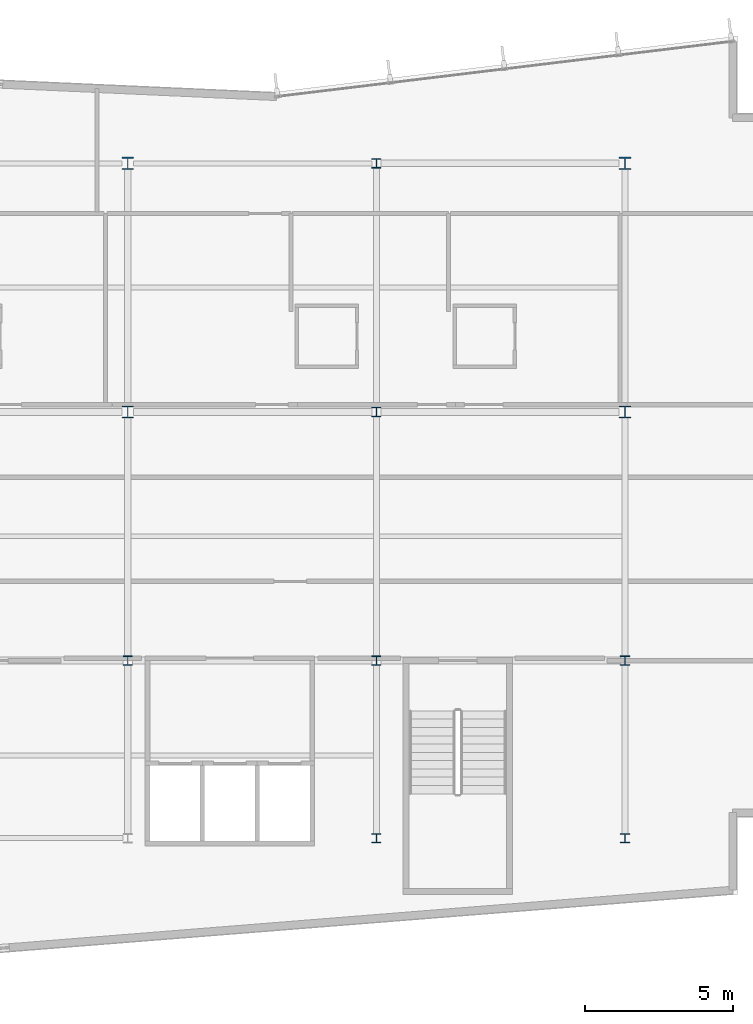
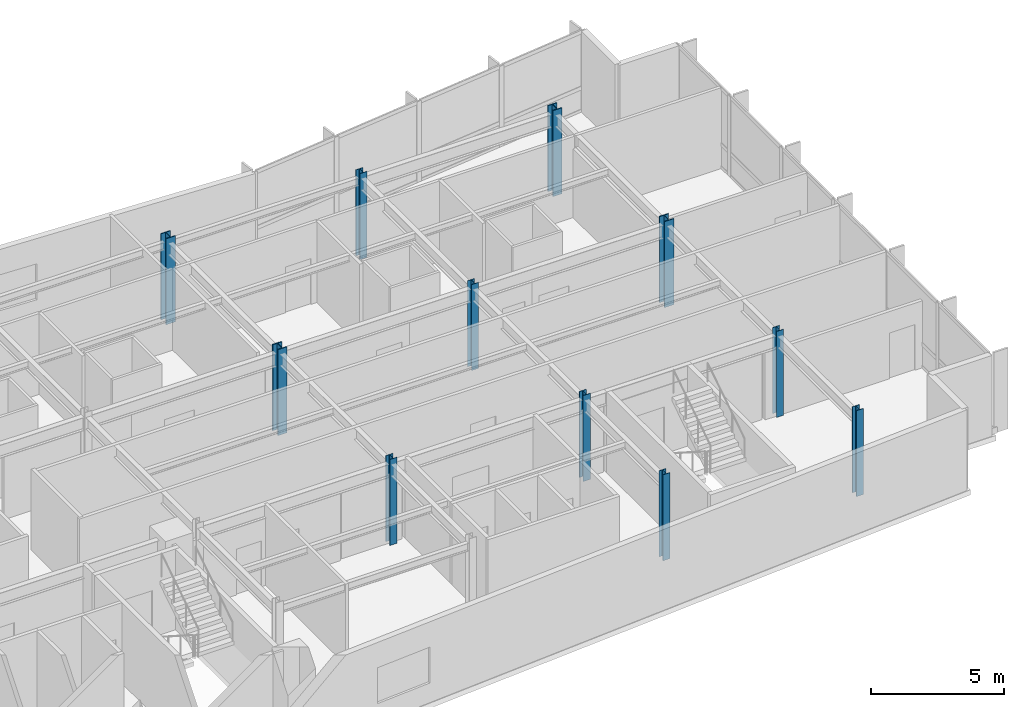
# One storey, part 2 of 18: 11 columns.
"""IFC4 building model written with IfcOpenShell, lengths in metres."""

from ifc_helpers import new_model, si_unit, direction, frame, origin, origin_2d, place, context, subcontext, project, spatial, i_section, extrude, material, material_profile, profile_set, type_object, element, save


model = new_model("IFC4")

# Units and contexts
model_context = context("Model", 3, precision=1e-05, world=origin(), true_north=direction((0.0, 1.0)))
body_context = subcontext(model_context, "Body", "Model", "MODEL_VIEW")
ifc_project = project(units=[si_unit("LENGTHUNIT", "METRE"), si_unit("AREAUNIT", "SQUARE_METRE"), si_unit("VOLUMEUNIT", "CUBIC_METRE"), si_unit("PLANEANGLEUNIT", "RADIAN"), si_unit("MASSUNIT", "GRAM", prefix="KILO")], contexts=[model_context])

# Site, building, storey
site_placement = place(None, origin())
site = spatial("IfcSite", under=ifc_project, at=site_placement, CompositionType="ELEMENT")
building_placement = place(site_placement, origin())
building = spatial("IfcBuilding", under=site, at=building_placement, Name="Varnakote Quay Hospital", CompositionType="ELEMENT")
storey_placement = place(building_placement, frame((0.0, 0.0, 142.85009765625)))
storey = spatial("IfcBuildingStorey", under=building, at=storey_placement, Name="L35", CompositionType="ELEMENT", Elevation=142.85009765625)

# Columns
ifc_material_1 = material(Name="Structural steel AS/NZS 3679.1 Grade 350 L0 (fy 340 MPa)", Category="steel")
ifc_material_profile_1 = material_profile(ifc_material_1, i_section(OverallWidth=0.306884765625, OverallDepth=0.31494140625, WebThickness=0.011962890625, FlangeThickness=0.018798828125, FilletRadius=0.0166015625, at=origin_2d()), Name="310UC118")
ifc_profile_set_1 = profile_set([ifc_material_profile_1], Name="Structural steel AS/NZS 3679.1 Grade 350 L0 (fy 340 MPa)")
column_type_1 = type_object("IfcColumnType", Name="COL-STL-310UC118", PredefinedType="COLUMN", material=ifc_profile_set_1)
for number, where, z_axis, x_axis, name in (
    (1, (42.0, 6.0, 0.0), (0.0, 0.0, 1.0), (1.0, 0.0, 0.0), "L35 Structural Column C-42-6"),
    (2, (50.39990234375, 6.0, 0.0), (0.0, 0.0, 1.0), (1.0, 0.0, 0.0), "L35 Structural Column C-50-6"),
    (3, (33.60009765625, 12.0, 0.0), (0.0, 0.0, 1.0), (1.0, 0.0, 0.0), "L35 Structural Column C-34-12"),
    (4, (42.0, 12.0, 0.0), (0.0, 0.0, 1.0), (1.0, 0.0, 0.0), "L35 Structural Column C-42-12"),
    (5, (50.39990234375, 12.0, 0.0), (0.0, 0.0, 1.0), (1.0, 0.0, 0.0), "L35 Structural Column C-50-12"),
    (6, (42.0, 20.39990234375, 0.0), (0.0, 0.0, 1.0), (1.0, 0.0, 0.0), "L35 Structural Column C-42-20"),
    (7, (42.0, 28.800048828125, 0.0), (0.0, 0.0, 1.0), (1.0, 0.0, 0.0), "L35 Structural Column C-42-29"),
):
    element("IfcColumn", number, at=place(storey_placement, frame(where, z_axis=z_axis, x_axis=x_axis)), inside=storey, type_object=column_type_1, Name=name, PredefinedType="COLUMN", context=body_context, shape_type="SweptSolid", body=[
        extrude(i_section(OverallWidth=0.306884765625, OverallDepth=0.31494140625, WebThickness=0.011962890625, FlangeThickness=0.018798828125, FilletRadius=0.0166015625, at=origin_2d()), origin(), (0.0, 0.0, 1.0), 3.949951171875),
    ])
ifc_material_2 = material(Name="Structural steel AS/NZS 3678 Grade 350 (fy 340 MPa)", Category="steel")
ifc_material_profile_2 = material_profile(ifc_material_2, i_section(OverallWidth=0.39990234375, OverallDepth=0.419921875, WebThickness=0.02490234375, FlangeThickness=0.0400390625, at=origin_2d()), Name="400WC328")
ifc_profile_set_2 = profile_set([ifc_material_profile_2], Name="Structural steel AS/NZS 3678 Grade 350 (fy 340 MPa)")
column_type_2 = type_object("IfcColumnType", Name="COL-STL-400WC328", PredefinedType="COLUMN", material=ifc_profile_set_2)
for number, where, z_axis, x_axis, name in (
    (8, (33.60009765625, 20.39990234375, 0.0), (0.0, 0.0, 1.0), (1.0, 0.0, 0.0), "L35 Structural Column C-34-20"),
    (9, (50.39990234375, 20.39990234375, 0.0), (0.0, 0.0, 1.0), (1.0, 0.0, 0.0), "L35 Structural Column C-50-20"),
    (10, (33.60009765625, 28.800048828125, 0.0), (0.0, 0.0, 1.0), (1.0, 0.0, 0.0), "L35 Structural Column C-34-29"),
    (11, (50.39990234375, 28.800048828125, 0.0), (0.0, 0.0, 1.0), (1.0, 0.0, 0.0), "L35 Structural Column C-50-29"),
):
    element("IfcColumn", number, at=place(storey_placement, frame(where, z_axis=z_axis, x_axis=x_axis)), inside=storey, type_object=column_type_2, Name=name, PredefinedType="COLUMN", context=body_context, shape_type="SweptSolid", body=[
        extrude(i_section(OverallWidth=0.39990234375, OverallDepth=0.419921875, WebThickness=0.02490234375, FlangeThickness=0.0400390625, at=origin_2d()), origin(), (0.0, 0.0, 1.0), 3.949951171875),
    ])

save(model, "model.ifc")
